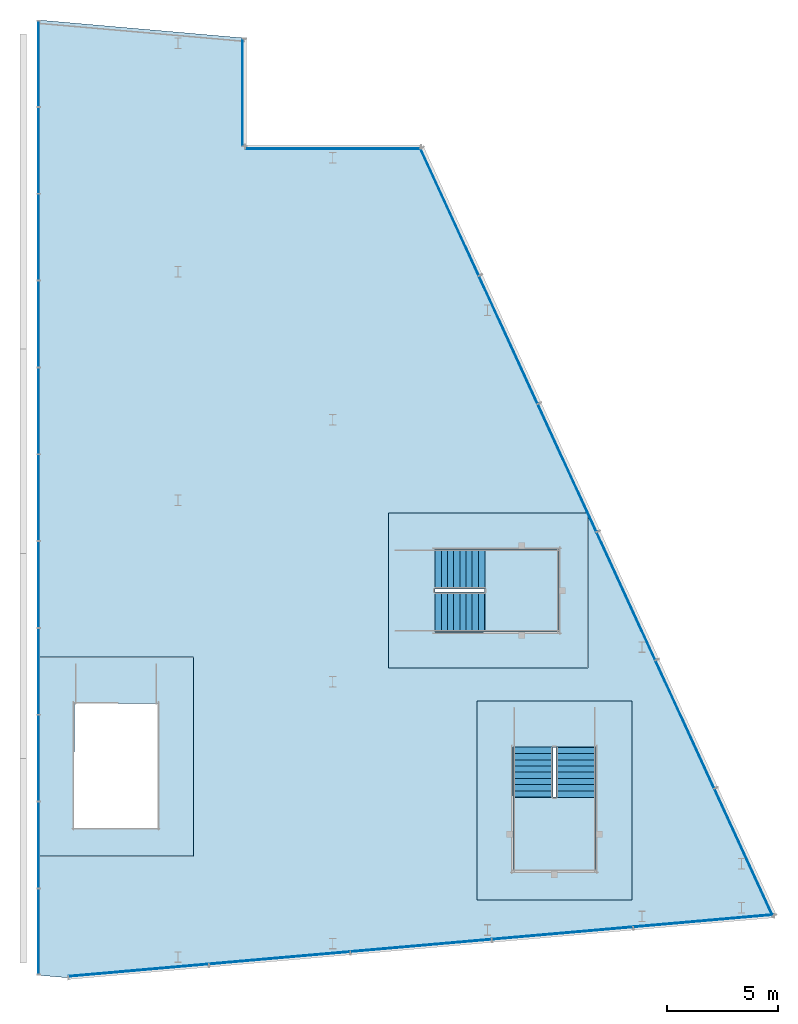
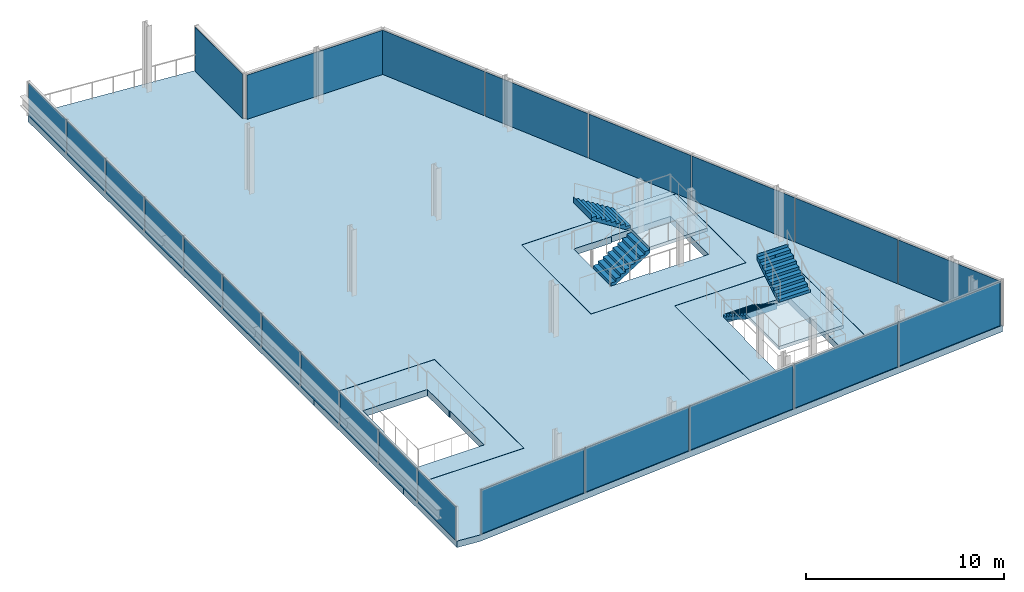
# One storey, part 7 of 9: 24 plates, 6 slabs, 4 stair flights, 7 elements without a shape of their own.
"""IFC4 building model written with IfcOpenShell, lengths in metres."""

from ifc_helpers import new_model, si_unit, direction, frame, origin, origin_2d, place, context, subcontext, project, spatial, polyline, rectangle, outline, extrude, material, layer, layer_set, type_object, element, aggregate, save


model = new_model("IFC4")

# Units and contexts
model_context = context("Model", 3, precision=1e-05, world=origin(), true_north=direction((0.0, 1.0)))
body_context = subcontext(model_context, "Body", "Model", "MODEL_VIEW")
ifc_project = project(units=[si_unit("LENGTHUNIT", "METRE"), si_unit("AREAUNIT", "SQUARE_METRE"), si_unit("VOLUMEUNIT", "CUBIC_METRE"), si_unit("PLANEANGLEUNIT", "RADIAN"), si_unit("MASSUNIT", "GRAM", prefix="KILO")], contexts=[model_context])

# Site, building, storey
site_placement = place(None, origin())
site = spatial("IfcSite", under=ifc_project, at=site_placement, CompositionType="ELEMENT")
building_placement = place(site_placement, origin())
building = spatial("IfcBuilding", under=site, at=building_placement, Name="Wharfspan Tower", CompositionType="ELEMENT")
storey_placement = place(building_placement, frame((0.0, 0.0, 270.699951)))
storey = spatial("IfcBuildingStorey", under=building, at=storey_placement, Name="L69", CompositionType="ELEMENT", Elevation=270.699951)

# Curtain wall, plates
ifc_material_1 = material(Name="Aluminium 6063-T6", Category="aluminium")
curtain_wall_type_1 = type_object("IfcCurtainWallType", Name="CURTAIN WALL CROWN GABLE", PredefinedType="NOTDEFINED", material=ifc_material_1)
curtain_wall_1_placement = place(storey_placement, origin())
curtain_wall_1 = element("IfcCurtainWall", 1, at=curtain_wall_1_placement, inside=storey, type_object=curtain_wall_type_1, Name="Crown gable glazing", PredefinedType="NOTDEFINED")
ifc_material_2 = material(Name="Glass clear low-iron double glazing", Category="glass")
ifc_layer_1 = layer(ifc_material_2, 0.035889)
ifc_layer_set_1 = layer_set([ifc_layer_1], Name="Glass clear low-iron double glazing")
plate_type_1 = type_object("IfcPlateType", Name="GLASS PANEL CROWN GABLE 36", PredefinedType="CURTAIN_PANEL", material=ifc_layer_set_1)
plate_1_placement = place(storey_placement, frame((44.691162, 8.094727, 0.0), z_axis=(0.0, 0.0, 1.0), x_axis=(0.0, 1.0, 0.0)))
plate_1 = element("IfcPlate", 2, at=plate_1_placement, type_object=plate_type_1, Name="Crown gable glazing panel 1", PredefinedType="CURTAIN_PANEL", context=body_context, shape_type="SweptSolid", body=[
    extrude(rectangle(XDim=3.8396, YDim=0.035889, at=origin_2d()), origin(), (0.0, 0.0, 1.0), 2.054443),
])
plate_2_placement = place(storey_placement, frame((44.691162, 12.009033, 0.0), z_axis=(0.0, 0.0, 1.0), x_axis=(0.0, 1.0, 0.0)))
plate_2 = element("IfcPlate", 3, at=plate_2_placement, type_object=plate_type_1, Name="Crown gable glazing panel 2", PredefinedType="CURTAIN_PANEL", context=body_context, shape_type="SweptSolid", body=[
    extrude(rectangle(XDim=3.869385, YDim=0.035889, at=origin_2d()), origin(), (0.0, 0.0, 1.0), 2.054443),
])
plate_3_placement = place(storey_placement, frame((44.691162, 15.938721, 0.0), z_axis=(0.0, 0.0, 1.0), x_axis=(0.0, 1.0, 0.0)))
plate_3 = element("IfcPlate", 4, at=plate_3_placement, type_object=plate_type_1, Name="Crown gable glazing panel 3", PredefinedType="CURTAIN_PANEL", context=body_context, shape_type="SweptSolid", body=[
    extrude(rectangle(XDim=3.869385, YDim=0.035889, at=origin_2d()), origin(), (0.0, 0.0, 1.0), 2.054443),
])
plate_4_placement = place(storey_placement, frame((44.691162, 19.868164, 0.0), z_axis=(0.0, 0.0, 1.0), x_axis=(0.0, 1.0, 0.0)))
plate_4 = element("IfcPlate", 5, at=plate_4_placement, type_object=plate_type_1, Name="Crown gable glazing panel 4", PredefinedType="CURTAIN_PANEL", context=body_context, shape_type="SweptSolid", body=[
    extrude(rectangle(XDim=3.869385, YDim=0.035889, at=origin_2d()), origin(), (0.0, 0.0, 1.0), 2.054443),
])
plate_5_placement = place(storey_placement, frame((44.691162, 23.797607, 0.0), z_axis=(0.0, 0.0, 1.0), x_axis=(0.0, 1.0, 0.0)))
plate_5 = element("IfcPlate", 6, at=plate_5_placement, type_object=plate_type_1, Name="Crown gable glazing panel 5", PredefinedType="CURTAIN_PANEL", context=body_context, shape_type="SweptSolid", body=[
    extrude(rectangle(XDim=3.869385, YDim=0.035889, at=origin_2d()), origin(), (0.0, 0.0, 1.0), 2.054443),
])
plate_6_placement = place(storey_placement, frame((44.691162, 27.727051, 0.0), z_axis=(0.0, 0.0, 1.0), x_axis=(0.0, 1.0, 0.0)))
plate_6 = element("IfcPlate", 7, at=plate_6_placement, type_object=plate_type_1, Name="Crown gable glazing panel 6", PredefinedType="CURTAIN_PANEL", context=body_context, shape_type="SweptSolid", body=[
    extrude(rectangle(XDim=3.869385, YDim=0.035889, at=origin_2d()), origin(), (0.0, 0.0, 1.0), 2.054443),
])
plate_7_placement = place(storey_placement, frame((44.691162, 31.656494, 0.0), z_axis=(0.0, 0.0, 1.0), x_axis=(0.0, 1.0, 0.0)))
plate_7 = element("IfcPlate", 8, at=plate_7_placement, type_object=plate_type_1, Name="Crown gable glazing panel 7", PredefinedType="CURTAIN_PANEL", context=body_context, shape_type="SweptSolid", body=[
    extrude(rectangle(XDim=3.869385, YDim=0.035889, at=origin_2d()), origin(), (0.0, 0.0, 1.0), 2.054443),
])
plate_8_placement = place(storey_placement, frame((44.691162, 35.586182, 0.0), z_axis=(0.0, 0.0, 1.0), x_axis=(0.0, 1.0, 0.0)))
plate_8 = element("IfcPlate", 9, at=plate_8_placement, type_object=plate_type_1, Name="Crown gable glazing panel 8", PredefinedType="CURTAIN_PANEL", context=body_context, shape_type="SweptSolid", body=[
    extrude(rectangle(XDim=3.869385, YDim=0.035889, at=origin_2d()), origin(), (0.0, 0.0, 1.0), 2.054443),
])
plate_9_placement = place(storey_placement, frame((44.691162, 39.515625, 0.0), z_axis=(0.0, 0.0, 1.0), x_axis=(0.0, 1.0, 0.0)))
plate_9 = element("IfcPlate", 10, at=plate_9_placement, type_object=plate_type_1, Name="Crown gable glazing panel 9", PredefinedType="CURTAIN_PANEL", context=body_context, shape_type="SweptSolid", body=[
    extrude(rectangle(XDim=3.869385, YDim=0.035889, at=origin_2d()), origin(), (0.0, 0.0, 1.0), 2.054443),
])
plate_10_placement = place(storey_placement, frame((44.691162, 43.445068, 0.0), z_axis=(0.0, 0.0, 1.0), x_axis=(0.0, 1.0, 0.0)))
plate_10 = element("IfcPlate", 11, at=plate_10_placement, type_object=plate_type_1, Name="Crown gable glazing panel 10", PredefinedType="CURTAIN_PANEL", context=body_context, shape_type="SweptSolid", body=[
    extrude(rectangle(XDim=3.869385, YDim=0.035889, at=origin_2d()), origin(), (0.0, 0.0, 1.0), 2.054443),
])
plate_11_placement = place(storey_placement, frame((44.691162, 47.359619, 0.0), z_axis=(0.0, 0.0, 1.0), x_axis=(0.0, 1.0, 0.0)))
plate_11 = element("IfcPlate", 12, at=plate_11_placement, type_object=plate_type_1, Name="Crown gable glazing panel 11", PredefinedType="CURTAIN_PANEL", context=body_context, shape_type="SweptSolid", body=[
    extrude(rectangle(XDim=3.8396, YDim=0.035889, at=origin_2d()), origin(), (0.0, 0.0, 1.0), 2.054443),
])
aggregate(curtain_wall_1, [plate_1, plate_2, plate_3, plate_4, plate_5, plate_6, plate_7, plate_8, plate_9, plate_10, plate_11])

curtain_wall_type_2 = type_object("IfcCurtainWallType", Name="CURTAIN WALL FACETED FRONT", PredefinedType="NOTDEFINED", material=ifc_material_1)
curtain_wall_2_placement = place(storey_placement, origin())
curtain_wall_2 = element("IfcCurtainWall", 13, at=curtain_wall_2_placement, inside=storey, type_object=curtain_wall_type_2, Name="Crown curtain wall S2", PredefinedType="NOTDEFINED")
ifc_layer_2 = layer(ifc_material_2, 0.040039)
ifc_layer_set_2 = layer_set([ifc_layer_2], Name="Glass clear low-iron double glazing")
plate_type_2 = type_object("IfcPlateType", Name="GLASS PANEL FACETED FRONT 40", PredefinedType="CURTAIN_PANEL", material=ifc_layer_set_2)
plate_12_placement = place(storey_placement, frame((49.209717, 6.341309, 0.0), z_axis=(0.0, 0.0, 1.0), x_axis=(0.996198, 0.087156, 0.0)))
plate_12 = element("IfcPlate", 14, at=plate_12_placement, type_object=plate_type_2, Name="Crown curtain wall S2 panel 1", PredefinedType="CURTAIN_PANEL", context=body_context, shape_type="SweptSolid", body=[
    extrude(rectangle(XDim=6.334473, YDim=0.040039, at=origin_2d()), origin(), (0.0, 0.0, 1.0), 2.719971),
])
plate_13_placement = place(storey_placement, frame((55.594727, 6.900146, 0.0), z_axis=(0.0, 0.0, 1.0), x_axis=(0.996198, 0.087156, 0.0)))
plate_13 = element("IfcPlate", 15, at=plate_13_placement, type_object=plate_type_2, Name="Crown curtain wall S2 panel 2", PredefinedType="CURTAIN_PANEL", context=body_context, shape_type="SweptSolid", body=[
    extrude(rectangle(XDim=6.364502, YDim=0.040039, at=origin_2d()), origin(), (0.0, 0.0, 1.0), 2.719971),
])
plate_14_placement = place(storey_placement, frame((61.994873, 7.459961, 0.0), z_axis=(0.0, 0.0, 1.0), x_axis=(0.996198, 0.087156, 0.0)))
plate_14 = element("IfcPlate", 16, at=plate_14_placement, type_object=plate_type_2, Name="Crown curtain wall S2 panel 3", PredefinedType="CURTAIN_PANEL", context=body_context, shape_type="SweptSolid", body=[
    extrude(rectangle(XDim=6.364502, YDim=0.040039, at=origin_2d()), origin(), (0.0, 0.0, 1.0), 2.719971),
])
plate_15_placement = place(storey_placement, frame((68.394775, 8.019775, 0.0), z_axis=(0.0, 0.0, 1.0), x_axis=(0.996198, 0.087156, 0.0)))
plate_15 = element("IfcPlate", 17, at=plate_15_placement, type_object=plate_type_2, Name="Crown curtain wall S2 panel 4", PredefinedType="CURTAIN_PANEL", context=body_context, shape_type="SweptSolid", body=[
    extrude(rectangle(XDim=6.364502, YDim=0.040039, at=origin_2d()), origin(), (0.0, 0.0, 1.0), 2.719971),
])
plate_16_placement = place(storey_placement, frame((74.779785, 8.578613, 0.0), z_axis=(0.0, 0.0, 1.0), x_axis=(0.996198, 0.087156, 0.0)))
plate_16 = element("IfcPlate", 18, at=plate_16_placement, type_object=plate_type_2, Name="Crown curtain wall S2 panel 5", PredefinedType="CURTAIN_PANEL", context=body_context, shape_type="SweptSolid", body=[
    extrude(rectangle(XDim=6.334473, YDim=0.040039, at=origin_2d()), origin(), (0.0, 0.0, 1.0), 2.719971),
])
aggregate(curtain_wall_2, [plate_12, plate_13, plate_14, plate_15, plate_16])

curtain_wall_type_3 = type_object("IfcCurtainWallType", Name="CURTAIN WALL PROW AND END", PredefinedType="NOTDEFINED", material=ifc_material_1)
curtain_wall_3_placement = place(storey_placement, origin())
curtain_wall_3 = element("IfcCurtainWall", 19, at=curtain_wall_3_placement, inside=storey, type_object=curtain_wall_type_3, Name="Crown curtain wall E", PredefinedType="NOTDEFINED")
ifc_layer_3 = layer(ifc_material_2, 0.040039)
ifc_layer_set_3 = layer_set([ifc_layer_3], Name="Glass clear low-iron double glazing")
plate_type_3 = type_object("IfcPlateType", Name="GLASS PANEL PROW AND END 40", PredefinedType="CURTAIN_PANEL", material=ifc_layer_set_3)
plate_17_placement = place(storey_placement, frame((76.589355, 11.680176, 0.0), z_axis=(0.0, 0.0, 1.0), x_axis=(-0.417292, 0.908769, 0.0)))
plate_17 = element("IfcPlate", 20, at=plate_17_placement, type_object=plate_type_3, Name="Crown curtain wall E panel 1", PredefinedType="CURTAIN_PANEL", context=body_context, shape_type="SweptSolid", body=[
    extrude(rectangle(XDim=6.292236, YDim=0.040039, at=origin_2d()), origin(), (0.0, 0.0, 1.0), 2.719971),
])
plate_18_placement = place(storey_placement, frame((73.932373, 17.466553, 0.0), z_axis=(0.0, 0.0, 1.0), x_axis=(-0.417292, 0.908769, 0.0)))
plate_18 = element("IfcPlate", 21, at=plate_18_placement, type_object=plate_type_3, Name="Crown curtain wall E panel 2", PredefinedType="CURTAIN_PANEL", context=body_context, shape_type="SweptSolid", body=[
    extrude(rectangle(XDim=6.322266, YDim=0.040039, at=origin_2d()), origin(), (0.0, 0.0, 1.0), 2.719971),
])
plate_19_placement = place(storey_placement, frame((71.269043, 23.266602, 0.0), z_axis=(0.0, 0.0, 1.0), x_axis=(-0.417292, 0.908769, 0.0)))
plate_19 = element("IfcPlate", 22, at=plate_19_placement, type_object=plate_type_3, Name="Crown curtain wall E panel 3", PredefinedType="CURTAIN_PANEL", context=body_context, shape_type="SweptSolid", body=[
    extrude(rectangle(XDim=6.322266, YDim=0.040039, at=origin_2d()), origin(), (0.0, 0.0, 1.0), 2.719971),
])
plate_20_placement = place(storey_placement, frame((68.605957, 29.06665, 0.0), z_axis=(0.0, 0.0, 1.0), x_axis=(-0.417292, 0.908769, 0.0)))
plate_20 = element("IfcPlate", 23, at=plate_20_placement, type_object=plate_type_3, Name="Crown curtain wall E panel 4", PredefinedType="CURTAIN_PANEL", context=body_context, shape_type="SweptSolid", body=[
    extrude(rectangle(XDim=6.322266, YDim=0.040039, at=origin_2d()), origin(), (0.0, 0.0, 1.0), 2.719971),
])
plate_21_placement = place(storey_placement, frame((65.942627, 34.866699, 0.0), z_axis=(0.0, 0.0, 1.0), x_axis=(-0.417292, 0.908769, 0.0)))
plate_21 = element("IfcPlate", 24, at=plate_21_placement, type_object=plate_type_3, Name="Crown curtain wall E panel 5", PredefinedType="CURTAIN_PANEL", context=body_context, shape_type="SweptSolid", body=[
    extrude(rectangle(XDim=6.322266, YDim=0.040039, at=origin_2d()), origin(), (0.0, 0.0, 1.0), 2.719971),
])
plate_22_placement = place(storey_placement, frame((63.285645, 40.653076, 0.0), z_axis=(0.0, 0.0, 1.0), x_axis=(-0.417292, 0.908769, 0.0)))
plate_22 = element("IfcPlate", 25, at=plate_22_placement, type_object=plate_type_3, Name="Crown curtain wall E panel 6", PredefinedType="CURTAIN_PANEL", context=body_context, shape_type="SweptSolid", body=[
    extrude(rectangle(XDim=6.292236, YDim=0.040039, at=origin_2d()), origin(), (0.0, 0.0, 1.0), 2.719971),
])
aggregate(curtain_wall_3, [plate_17, plate_18, plate_19, plate_20, plate_21, plate_22])

# Curtain wall, plate
curtain_wall_4_placement = place(storey_placement, origin())
curtain_wall_4 = element("IfcCurtainWall", 26, at=curtain_wall_4_placement, inside=storey, type_object=curtain_wall_type_3, Name="Crown curtain wall NRE-H", PredefinedType="NOTDEFINED")
plate_23_placement = place(storey_placement, frame((58.010254, 43.52002, 0.0), z_axis=(0.0, 0.0, 1.0), x_axis=(-1.0, 0.0, 0.0)))
plate_23 = element("IfcPlate", 27, at=plate_23_placement, type_object=plate_type_3, Name="Crown curtain wall NRE-H panel 1", PredefinedType="CURTAIN_PANEL", context=body_context, shape_type="SweptSolid", body=[
    extrude(rectangle(XDim=7.900391, YDim=0.040039, at=origin_2d()), origin(), (0.0, 0.0, 1.0), 2.719971),
])
aggregate(curtain_wall_4, [plate_23])

curtain_wall_5_placement = place(storey_placement, origin())
curtain_wall_5 = element("IfcCurtainWall", 28, at=curtain_wall_5_placement, inside=storey, type_object=curtain_wall_type_3, Name="Crown curtain wall NRE-V", PredefinedType="NOTDEFINED")
plate_24_placement = place(storey_placement, frame((53.919922, 46.0625, 0.0), z_axis=(0.0, 0.0, 1.0), x_axis=(0.0, 1.0, 0.0)))
plate_24 = element("IfcPlate", 29, at=plate_24_placement, type_object=plate_type_3, Name="Crown curtain wall NRE-V panel 1", PredefinedType="CURTAIN_PANEL", context=body_context, shape_type="SweptSolid", body=[
    extrude(rectangle(XDim=4.804932, YDim=0.040039, at=origin_2d()), origin(), (0.0, 0.0, 1.0), 2.719971),
])
aggregate(curtain_wall_5, [plate_24])

# Slabs
ifc_material_3 = material(Name="Concrete C40/50", Category="concrete")
ifc_layer_4 = layer(ifc_material_3, 0.399902)
ifc_layer_set_4 = layer_set([ifc_layer_4], Name="Concrete C40/50")
slab_type_1 = type_object("IfcSlabType", Name="Gallery deck 400", PredefinedType="USERDEFINED", material=ifc_layer_set_4)
slab_1_placement = place(storey_placement, frame((0.0, 0.0, -0.400146)))
element("IfcSlab", 30, at=slab_1_placement, inside=storey, type_object=slab_type_1, Name="Floor slab L69", ObjectType="GALLERY DECK", PredefinedType="USERDEFINED", context=body_context, shape_type="SweptSolid", body=[
    extrude(outline(polyline([(54.0, 48.524902), (44.691162, 49.339355), (44.691162, 20.510498), (51.701172, 20.510498), (51.701172, 11.490479), (44.691162, 11.490479), (44.691162, 6.11499), (46.0, 6.000488), (78.0, 8.800049), (62.020508, 43.600098), (54.0, 43.600098), (54.0, 48.524902)]), holes=[polyline([(64.521484, 9.511719), (64.521484, 18.531738), (71.541504, 18.531738), (71.541504, 9.511719), (64.521484, 9.511719)]), polyline([(60.521484, 27.031738), (69.541504, 27.031738), (69.541504, 20.011719), (60.521484, 20.011719), (60.521484, 27.031738)])]), origin(), (0.0, 0.0, 1.0), 0.400146),
])
slab_2_placement = place(storey_placement, frame((0.0, 0.0, -0.400146)))
element("IfcSlab", 31, at=slab_2_placement, inside=storey, type_object=slab_type_1, Name="Core floor slab L69 part 1", ObjectType="GALLERY DECK", PredefinedType="USERDEFINED", context=body_context, shape_type="SweptSolid", body=[
    extrude(outline(polyline([(44.691162, 20.500488), (44.691162, 11.500488), (51.691162, 11.500488), (51.691162, 20.500488), (44.691162, 20.500488)]), holes=[polyline([(46.266113, 12.748291), (46.265869, 12.748291), (46.265625, 12.748291), (46.265381, 12.748291), (46.265381, 12.748535), (46.265137, 12.748535), (46.264893, 12.748779), (46.264893, 12.748779), (46.264648, 12.748779), (46.264404, 12.749023), (46.264404, 12.749268), (46.264404, 12.749512), (46.26416, 12.749512), (46.26416, 12.749756), (46.26416, 12.75), (46.26416, 12.750244), (46.26416, 12.750488), (46.26416, 16.210449), (46.26416, 16.210693), (46.26416, 16.210693), (46.26416, 16.210938), (46.26416, 16.211182), (46.264404, 16.211182), (46.264404, 16.211426), (46.264404, 16.21167), (46.264648, 16.211914), (46.264893, 16.211914), (46.264893, 16.211914), (46.265137, 16.212158), (46.265381, 16.212158), (46.265381, 16.212402), (46.265625, 16.212402), (46.265869, 16.212402), (46.266113, 16.212402), (46.314209, 16.212402), (46.314209, 18.400391), (46.314209, 18.400635), (46.314209, 18.400879), (46.314209, 18.400879), (46.314209, 18.401123), (46.314209, 18.401367), (46.314453, 18.401611), (46.314453, 18.401611), (46.314697, 18.401855), (46.314697, 18.401855), (46.314941, 18.4021), (46.315186, 18.4021), (46.315186, 18.4021), (46.31543, 18.402344), (46.315674, 18.402344), (46.315918, 18.402344), (46.316162, 18.402344), (50.066162, 18.402344), (50.066406, 18.402344), (50.066406, 18.402344), (50.06665, 18.402344), (50.066895, 18.4021), (50.066895, 18.4021), (50.067139, 18.4021), (50.067383, 18.401855), (50.067383, 18.401855), (50.067627, 18.401611), (50.067627, 18.401611), (50.067871, 18.401367), (50.067871, 18.401123), (50.068115, 18.400879), (50.068115, 18.400879), (50.068115, 18.400635), (50.068115, 18.400391), (50.068115, 16.212402), (50.116211, 16.212402), (50.116211, 16.212402), (50.116455, 16.212402), (50.116699, 16.212402), (50.116699, 16.212158), (50.116943, 16.212158), (50.117188, 16.211914), (50.117188, 16.211914), (50.117432, 16.211914), (50.117676, 16.21167), (50.117676, 16.211426), (50.11792, 16.211182), (50.11792, 16.211182), (50.11792, 16.210938), (50.11792, 16.210693), (50.118164, 16.210693), (50.118164, 16.210449), (50.118164, 12.750488), (50.118164, 12.750244), (50.11792, 12.75), (50.11792, 12.749756), (50.11792, 12.749512), (50.11792, 12.749512), (50.117676, 12.749268), (50.117676, 12.749023), (50.117432, 12.748779), (50.117188, 12.748779), (50.117188, 12.748779), (50.116943, 12.748535), (50.116699, 12.748535), (50.116699, 12.748291), (50.116455, 12.748291), (50.116211, 12.748291), (50.116211, 12.748291), (46.266113, 12.748291)])]), origin(), (0.0, 0.0, 1.0), 0.400146),
])
slab_3_placement = place(storey_placement, frame((0.0, 0.0, -0.400146)))
element("IfcSlab", 32, at=slab_3_placement, inside=storey, type_object=slab_type_1, Name="Core floor slab L69 part 2", ObjectType="GALLERY DECK", PredefinedType="USERDEFINED", context=body_context, shape_type="SweptSolid", body=[
    extrude(outline(polyline([(60.531494, 27.021729), (60.531494, 20.021729), (69.531494, 20.021729), (69.531494, 27.021729), (60.531494, 27.021729)]), holes=[polyline([(64.81958, 25.446777), (64.81958, 25.447021), (64.81958, 25.447021), (64.81958, 25.447266), (64.819824, 25.44751), (64.819824, 25.447754), (64.820068, 25.447754), (64.820068, 25.447998), (64.820312, 25.447998), (64.820312, 25.448242), (64.820557, 25.448486), (64.820801, 25.448486), (64.820801, 25.448486), (64.821045, 25.448486), (64.821289, 25.44873), (64.821289, 25.44873), (64.821533, 25.44873), (68.281494, 25.44873), (68.281738, 25.44873), (68.281982, 25.44873), (68.282227, 25.448486), (68.282471, 25.448486), (68.282715, 25.448486), (68.282715, 25.448486), (68.282959, 25.448242), (68.282959, 25.447998), (68.283203, 25.447998), (68.283203, 25.447754), (68.283447, 25.447754), (68.283447, 25.44751), (68.283447, 25.447266), (68.283691, 25.447021), (68.283691, 25.447021), (68.283691, 25.446777), (68.283691, 21.59668), (68.283691, 21.596436), (68.283691, 21.596191), (68.283447, 21.596191), (68.283447, 21.595947), (68.283447, 21.595703), (68.283203, 21.595703), (68.283203, 21.595459), (68.282959, 21.595215), (68.282959, 21.595215), (68.282715, 21.595215), (68.282715, 21.594971), (68.282471, 21.594971), (68.282227, 21.594727), (68.281982, 21.594727), (68.281738, 21.594727), (68.281494, 21.594727), (64.821533, 21.594727), (64.821289, 21.594727), (64.821289, 21.594727), (64.821045, 21.594727), (64.820801, 21.594971), (64.820801, 21.594971), (64.820557, 21.595215), (64.820312, 21.595215), (64.820312, 21.595215), (64.820068, 21.595459), (64.820068, 21.595703), (64.819824, 21.595703), (64.819824, 21.595947), (64.81958, 21.596191), (64.81958, 21.596191), (64.81958, 21.596436), (64.81958, 21.59668), (64.81958, 21.644775), (62.631592, 21.644775), (62.631348, 21.644775), (62.631104, 21.644775), (62.631104, 21.644775), (62.630859, 21.64502), (62.630615, 21.64502), (62.630615, 21.64502), (62.630371, 21.645264), (62.630127, 21.645264), (62.630127, 21.645508), (62.629883, 21.645508), (62.629883, 21.645752), (62.629883, 21.645996), (62.629639, 21.645996), (62.629639, 21.64624), (62.629639, 21.646484), (62.629639, 21.646729), (62.629639, 25.396729), (62.629639, 25.396973), (62.629639, 25.397217), (62.629639, 25.397217), (62.629883, 25.397461), (62.629883, 25.397705), (62.629883, 25.397705), (62.630127, 25.397949), (62.630127, 25.398193), (62.630371, 25.398193), (62.630615, 25.398438), (62.630615, 25.398438), (62.630859, 25.398682), (62.631104, 25.398682), (62.631104, 25.398682), (62.631348, 25.398682), (62.631592, 25.398682), (64.81958, 25.398682), (64.81958, 25.446777)])]), origin(), (0.0, 0.0, 1.0), 0.400146),
])
slab_4_placement = place(storey_placement, frame((0.0, 0.0, -0.400146)))
element("IfcSlab", 33, at=slab_4_placement, inside=storey, type_object=slab_type_1, Name="Core floor slab L69 part 3", ObjectType="GALLERY DECK", PredefinedType="USERDEFINED", context=body_context, shape_type="SweptSolid", body=[
    extrude(outline(polyline([(64.531494, 9.521729), (71.531494, 9.521729), (71.531494, 18.521729), (64.531494, 18.521729), (64.531494, 9.521729)]), holes=[polyline([(66.154541, 16.421631), (66.154541, 16.421875), (66.154785, 16.422119), (66.154785, 16.422363), (66.154785, 16.422607), (66.154785, 16.422607), (66.155029, 16.422852), (66.155029, 16.423096), (66.155273, 16.423096), (66.155518, 16.42334), (66.155518, 16.42334), (66.155762, 16.423584), (66.156006, 16.423584), (66.156006, 16.423584), (66.15625, 16.423584), (66.156494, 16.423584), (66.156494, 16.423584), (69.906494, 16.423584), (69.906738, 16.423584), (69.906982, 16.423584), (69.907227, 16.423584), (69.907471, 16.423584), (69.907715, 16.423584), (69.907715, 16.42334), (69.907959, 16.42334), (69.907959, 16.423096), (69.908203, 16.423096), (69.908203, 16.422852), (69.908447, 16.422607), (69.908447, 16.422607), (69.908447, 16.422363), (69.908691, 16.422119), (69.908691, 16.421875), (69.908691, 16.421631), (69.908691, 14.233643), (69.956543, 14.233643), (69.956787, 14.233643), (69.957031, 14.233643), (69.957275, 14.233643), (69.95752, 14.233643), (69.95752, 14.233398), (69.957764, 14.233398), (69.958008, 14.233398), (69.958008, 14.233154), (69.958252, 14.23291), (69.958252, 14.23291), (69.958496, 14.232666), (69.958496, 14.232422), (69.958496, 14.232422), (69.958496, 14.232178), (69.958496, 14.231934), (69.958496, 14.231689), (69.958496, 10.771729), (69.958496, 10.771484), (69.958496, 10.77124), (69.958496, 10.770996), (69.958496, 10.770996), (69.958496, 10.770752), (69.958252, 10.770508), (69.958252, 10.770508), (69.958008, 10.770264), (69.958008, 10.770264), (69.957764, 10.77002), (69.95752, 10.77002), (69.95752, 10.77002), (69.957275, 10.769775), (69.957031, 10.769775), (69.956787, 10.769775), (69.956543, 10.769775), (66.106689, 10.769775), (66.106445, 10.769775), (66.106201, 10.769775), (66.106201, 10.769775), (66.105957, 10.77002), (66.105713, 10.77002), (66.105469, 10.77002), (66.105469, 10.770264), (66.105225, 10.770264), (66.10498, 10.770508), (66.10498, 10.770508), (66.10498, 10.770752), (66.104736, 10.770996), (66.104736, 10.770996), (66.104736, 10.77124), (66.104492, 10.771484), (66.104492, 10.771729), (66.104492, 14.231689), (66.104492, 14.231934), (66.104736, 14.232178), (66.104736, 14.232422), (66.104736, 14.232422), (66.10498, 14.232666), (66.10498, 14.23291), (66.10498, 14.23291), (66.105225, 14.233154), (66.105469, 14.233398), (66.105469, 14.233398), (66.105713, 14.233398), (66.105957, 14.233643), (66.106201, 14.233643), (66.106201, 14.233643), (66.106445, 14.233643), (66.106689, 14.233643), (66.154541, 14.233643), (66.154541, 16.421631)])]), origin(), (0.0, 0.0, 1.0), 0.400146),
])

# Stair, slab
stair_type = type_object("IfcStairType", Name="Half-turn stair 18 risers 178 mm", PredefinedType="HALF_TURN_STAIR", material=ifc_material_3)
stair_1_placement = place(storey_placement, origin())
stair_1 = element("IfcStair", 34, at=stair_1_placement, inside=storey, type_object=stair_type, Name="L69 stair ST7", PredefinedType="HALF_TURN_STAIR")
ifc_layer_5 = layer(ifc_material_3, 0.199951)
ifc_layer_set_5 = layer_set([ifc_layer_5], Name="Concrete C40/50")
slab_type_2 = type_object("IfcSlabType", Name="Stair landing 200", PredefinedType="LANDING", material=ifc_layer_set_5)
slab_5_placement = place(storey_placement, frame((0.0, 0.0, 1.399902)))
slab_5 = element("IfcSlab", 35, at=slab_5_placement, type_object=slab_type_2, Name="ST7 landing 1", PredefinedType="LANDING", context=body_context, shape_type="SweptSolid", body=[
    extrude(outline(polyline([(66.156738, 14.181641), (66.156738, 10.821777), (69.906738, 10.821777), (69.906738, 14.181641), (66.156738, 14.181641)])), origin(), (0.0, 0.0, 1.0), 0.200195),
])

stair_2_placement = place(storey_placement, origin())
stair_2 = element("IfcStair", 36, at=stair_2_placement, inside=storey, type_object=stair_type, Name="L69 stair ST8", PredefinedType="HALF_TURN_STAIR")
slab_6_placement = place(storey_placement, frame((0.0, 0.0, 1.399902)))
slab_6 = element("IfcSlab", 37, at=slab_6_placement, type_object=slab_type_2, Name="ST8 landing 1", PredefinedType="LANDING", context=body_context, shape_type="SweptSolid", body=[
    extrude(outline(polyline([(64.871582, 21.646729), (68.231689, 21.646729), (68.231689, 25.396729), (64.871582, 25.396729), (64.871582, 21.646729)])), origin(), (0.0, 0.0, 1.0), 0.200195),
])

# Stair flight
stair_flight_type = type_object("IfcStairFlightType", Name="Stair flight 18 risers 178 mm", PredefinedType="STRAIGHT", material=ifc_material_3)
stair_flight_1_placement = place(storey_placement, frame((67.056641, 16.421631, 0.0), z_axis=(0.0, 0.0, 1.0), x_axis=(0.0, -1.0, 0.0)))
stair_flight_1 = element("IfcStairFlight", 38, at=stair_flight_1_placement, type_object=stair_flight_type, Name="ST7 flight 1", NumberOfRisers=9, NumberOfTreads=8, PredefinedType="STRAIGHT", RiserHeight=0.177778, TreadLength=0.28, context=body_context, shape_type="SweptSolid", body=[
    extrude(outline(polyline([(-0.011963, 0.0), (-0.011963, 0.177734), (0.0, 0.177734), (0.280029, 0.177734), (0.280029, 0.355469), (0.560059, 0.355469), (0.560059, 0.533447), (0.840088, 0.533447), (0.840088, 0.711182), (1.120117, 0.711182), (1.120117, 0.888916), (1.399902, 0.888916), (1.399902, 1.06665), (1.679932, 1.06665), (1.679932, 1.244385), (1.959961, 1.244385), (1.959961, 1.422119), (2.23999, 1.422119), (2.251953, 1.600098), (2.251953, 1.244629), (0.279785, 0.0), (-0.011963, 0.0)])), frame((0.0, 0.899902, 0.0), z_axis=(0.0, -1.0, 0.0), x_axis=(1.0, 0.0, 0.0)), (0.0, 0.0, 1.0), 0.899414),
    extrude(outline(polyline([(-0.011963, 0.0), (-0.011963, 0.177734), (0.0, 0.177734), (0.280029, 0.177734), (0.280029, 0.355469), (0.560059, 0.355469), (0.560059, 0.533447), (0.840088, 0.533447), (0.840088, 0.711182), (1.120117, 0.711182), (1.120117, 0.888916), (1.399902, 0.888916), (1.399902, 1.06665), (1.679932, 1.06665), (1.679932, 1.244385), (1.959961, 1.244385), (1.959961, 1.422119), (2.23999, 1.422119), (2.251953, 1.600098), (2.251953, 1.244629), (0.279785, 0.0), (-0.011963, 0.0)])), frame((0.0, -0.000488, 0.0), z_axis=(0.0, -1.0, 0.0), x_axis=(1.0, 0.0, 0.0)), (0.0, 0.0, 1.0), 0.899414),
])

stair_flight_2_placement = place(storey_placement, frame((69.006592, 14.181641, 1.600098), z_axis=(0.0, 0.0, 1.0), x_axis=(0.0, 1.0, 0.0)))
stair_flight_2 = element("IfcStairFlight", 39, at=stair_flight_2_placement, type_object=stair_flight_type, Name="ST7 flight 2", NumberOfRisers=9, NumberOfTreads=8, PredefinedType="STRAIGHT", RiserHeight=0.177778, TreadLength=0.28, context=body_context, shape_type="SweptSolid", body=[
    extrude(outline(polyline([(-0.011963, 0.0), (-0.011963, 0.177734), (0.0, 0.177734), (0.280029, 0.177734), (0.280029, 0.355469), (0.560059, 0.355469), (0.560059, 0.533447), (0.840088, 0.533447), (0.840088, 0.711182), (1.120117, 0.711182), (1.120117, 0.888916), (1.399902, 0.888916), (1.399902, 1.06665), (1.679932, 1.06665), (1.679932, 1.244385), (1.959961, 1.244385), (1.959961, 1.422119), (2.23999, 1.422119), (2.251953, 1.600098), (2.251953, 1.244629), (0.279785, 0.0), (-0.011963, 0.0)])), frame((0.0, 0.899902, 0.0), z_axis=(0.0, -1.0, 0.0), x_axis=(1.0, 0.0, 0.0)), (0.0, 0.0, 1.0), 0.899414),
    extrude(outline(polyline([(-0.011963, 0.0), (-0.011963, 0.177734), (0.0, 0.177734), (0.280029, 0.177734), (0.280029, 0.355469), (0.560059, 0.355469), (0.560059, 0.533447), (0.840088, 0.533447), (0.840088, 0.711182), (1.120117, 0.711182), (1.120117, 0.888916), (1.399902, 0.888916), (1.399902, 1.06665), (1.679932, 1.06665), (1.679932, 1.244385), (1.959961, 1.244385), (1.959961, 1.422119), (2.23999, 1.422119), (2.251953, 1.600098), (2.251953, 1.244629), (0.279785, 0.0), (-0.011963, 0.0)])), frame((0.0, -0.000488, 0.0), z_axis=(0.0, -1.0, 0.0), x_axis=(1.0, 0.0, 0.0)), (0.0, 0.0, 1.0), 0.899414),
])

aggregate(stair_1, [stair_flight_1, stair_flight_2, slab_5])

stair_flight_3_placement = place(storey_placement, frame((62.631592, 22.546631, 0.0), z_axis=(0.0, 0.0, 1.0), x_axis=(1.0, 0.0, 0.0)))
stair_flight_3 = element("IfcStairFlight", 40, at=stair_flight_3_placement, type_object=stair_flight_type, Name="ST8 flight 1", NumberOfRisers=9, NumberOfTreads=8, PredefinedType="STRAIGHT", RiserHeight=0.177778, TreadLength=0.28, context=body_context, shape_type="SweptSolid", body=[
    extrude(outline(polyline([(-0.011963, 0.0), (-0.011963, 0.177734), (0.0, 0.177734), (0.280029, 0.177734), (0.280029, 0.355469), (0.560059, 0.355469), (0.560059, 0.533447), (0.840088, 0.533447), (0.840088, 0.711182), (1.120117, 0.711182), (1.120117, 0.888916), (1.399902, 0.888916), (1.399902, 1.06665), (1.679932, 1.06665), (1.679932, 1.244385), (1.959961, 1.244385), (1.959961, 1.422119), (2.23999, 1.422119), (2.251953, 1.600098), (2.251953, 1.244629), (0.279785, 0.0), (-0.011963, 0.0)])), frame((0.0, 0.899902, 0.0), z_axis=(0.0, -1.0, 0.0), x_axis=(1.0, 0.0, 0.0)), (0.0, 0.0, 1.0), 0.899414),
    extrude(outline(polyline([(-0.011963, 0.0), (-0.011963, 0.177734), (0.0, 0.177734), (0.280029, 0.177734), (0.280029, 0.355469), (0.560059, 0.355469), (0.560059, 0.533447), (0.840088, 0.533447), (0.840088, 0.711182), (1.120117, 0.711182), (1.120117, 0.888916), (1.399902, 0.888916), (1.399902, 1.06665), (1.679932, 1.06665), (1.679932, 1.244385), (1.959961, 1.244385), (1.959961, 1.422119), (2.23999, 1.422119), (2.251953, 1.600098), (2.251953, 1.244629), (0.279785, 0.0), (-0.011963, 0.0)])), frame((0.0, -0.000488, 0.0), z_axis=(0.0, -1.0, 0.0), x_axis=(1.0, 0.0, 0.0)), (0.0, 0.0, 1.0), 0.899414),
])

stair_flight_4_placement = place(storey_placement, frame((64.871582, 24.496826, 1.600098), z_axis=(0.0, 0.0, 1.0), x_axis=(-1.0, 0.0, 0.0)))
stair_flight_4 = element("IfcStairFlight", 41, at=stair_flight_4_placement, type_object=stair_flight_type, Name="ST8 flight 2", NumberOfRisers=9, NumberOfTreads=8, PredefinedType="STRAIGHT", RiserHeight=0.177778, TreadLength=0.28, context=body_context, shape_type="SweptSolid", body=[
    extrude(outline(polyline([(-0.011963, 0.0), (-0.011963, 0.177734), (0.0, 0.177734), (0.280029, 0.177734), (0.280029, 0.355469), (0.560059, 0.355469), (0.560059, 0.533447), (0.840088, 0.533447), (0.840088, 0.711182), (1.120117, 0.711182), (1.120117, 0.888916), (1.399902, 0.888916), (1.399902, 1.06665), (1.679932, 1.06665), (1.679932, 1.244385), (1.959961, 1.244385), (1.959961, 1.422119), (2.23999, 1.422119), (2.251953, 1.600098), (2.251953, 1.244629), (0.279785, 0.0), (-0.011963, 0.0)])), frame((0.0, 0.899902, 0.0), z_axis=(0.0, -1.0, 0.0), x_axis=(1.0, 0.0, 0.0)), (0.0, 0.0, 1.0), 0.899414),
    extrude(outline(polyline([(-0.011963, 0.0), (-0.011963, 0.177734), (0.0, 0.177734), (0.280029, 0.177734), (0.280029, 0.355469), (0.560059, 0.355469), (0.560059, 0.533447), (0.840088, 0.533447), (0.840088, 0.711182), (1.120117, 0.711182), (1.120117, 0.888916), (1.399902, 0.888916), (1.399902, 1.06665), (1.679932, 1.06665), (1.679932, 1.244385), (1.959961, 1.244385), (1.959961, 1.422119), (2.23999, 1.422119), (2.251953, 1.600098), (2.251953, 1.244629), (0.279785, 0.0), (-0.011963, 0.0)])), frame((0.0, -0.000488, 0.0), z_axis=(0.0, -1.0, 0.0), x_axis=(1.0, 0.0, 0.0)), (0.0, 0.0, 1.0), 0.899414),
])

aggregate(stair_2, [stair_flight_3, stair_flight_4, slab_6])

save(model, "model.ifc")
